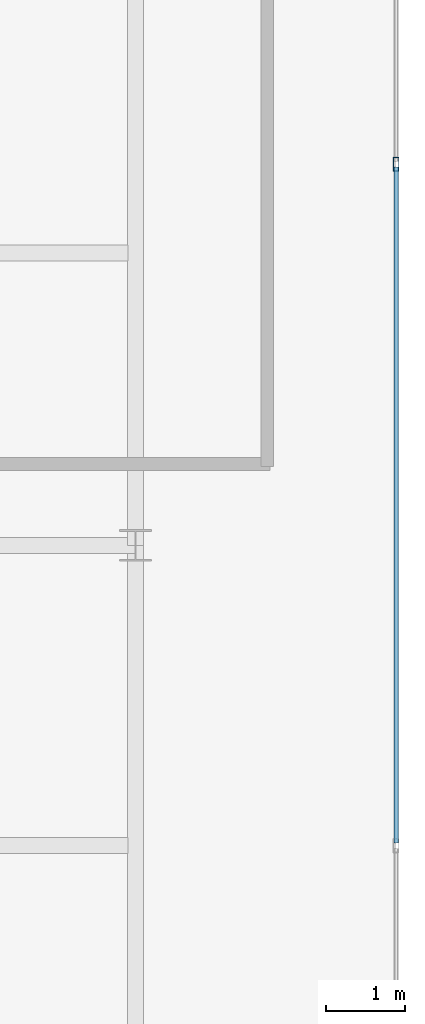
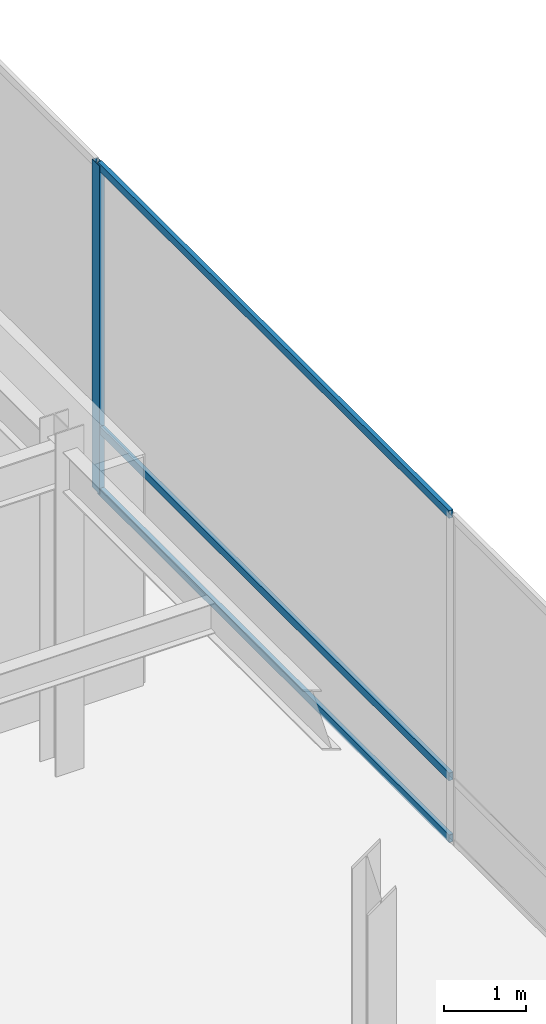
# One storey, part 27 of 40: 4 members, 1 element without a shape of its own.
"""IFC4 building model written with IfcOpenShell, lengths in metres."""

from ifc_helpers import new_model, si_unit, direction, frame, origin, origin_2d, place, context, subcontext, project, spatial, hollow_rectangle, extrude, material, layer, layer_set, material_profile, profile_set, type_object, element, aggregate, save


model = new_model("IFC4")

# Units and contexts
model_context = context("Model", 3, precision=1e-05, world=origin(), true_north=direction((0.0, 1.0)))
body_context = subcontext(model_context, "Body", "Model", "MODEL_VIEW")
ifc_project = project(units=[si_unit("LENGTHUNIT", "METRE"), si_unit("AREAUNIT", "SQUARE_METRE"), si_unit("VOLUMEUNIT", "CUBIC_METRE"), si_unit("PLANEANGLEUNIT", "RADIAN"), si_unit("MASSUNIT", "GRAM", prefix="KILO")], contexts=[model_context])

# Site, building, storey
site_placement = place(None, origin())
site = spatial("IfcSite", under=ifc_project, at=site_placement, CompositionType="ELEMENT")
building_placement = place(site_placement, origin())
building = spatial("IfcBuilding", under=site, at=building_placement, Name="Qianvela Tower", CompositionType="ELEMENT")
storey_placement = place(building_placement, frame((0.0, 0.0, 20.60009765625)))
storey = spatial("IfcBuildingStorey", under=building, at=storey_placement, Name="L04", CompositionType="ELEMENT", Elevation=20.60009765625)

# Curtain wall, members
ifc_material_1 = material(Name="Anodised Architectural Aluminium and Low-E Glass", Category="aluminium")
ifc_layer = layer(ifc_material_1, 0.179931640625)
ifc_layer_set = layer_set([ifc_layer], Name="Anodised Architectural Aluminium and Low-E Glass")
curtain_wall_type = type_object("IfcCurtainWallType", Name="CW-COMMONS", PredefinedType="USERDEFINED", material=ifc_layer_set)
curtain_wall_placement = place(storey_placement, origin())
curtain_wall = element("IfcCurtainWall", 1, at=curtain_wall_placement, inside=storey, type_object=curtain_wall_type, Name="L04 CW-COMMONS Curtain Wall 03", ObjectType="CURTAIN_WALL_SYSTEM", PredefinedType="USERDEFINED")
ifc_material_2 = material(Name="Anodised Architectural Aluminium 6063-T6", Category="aluminium")
ifc_material_profile_1 = material_profile(ifc_material_2, hollow_rectangle(XDim=0.070068359375, YDim=0.179931640625, WallThickness=0.0048828125, at=origin_2d()), Name="ALU-MULL-70x180")
ifc_profile_set_1 = profile_set([ifc_material_profile_1], Name="Anodised Architectural Aluminium 6063-T6")
member_type_1 = type_object("IfcMemberType", Name="CW-COMMONS-MULL", PredefinedType="MULLION", material=ifc_profile_set_1)
member_1_placement = place(storey_placement, frame((70.800048828125, 34.625, 0.0), z_axis=(0.0, 0.0, 1.0), x_axis=(-1.0, 0.0, 0.0)))
member_1 = element("IfcMember", 2, at=member_1_placement, type_object=member_type_1, Name="CW-2 mullion 4", PredefinedType="MULLION", context=body_context, shape_type="SweptSolid", body=[
    extrude(hollow_rectangle(XDim=0.070068359375, YDim=0.179931640625, WallThickness=0.0048828125, at=origin_2d()), origin(), (0.0, 0.0, 1.0), 4.8798828125),
])
ifc_material_3 = material(Name="Anodised Architectural Aluminium 6063-T6", Category="aluminium")
ifc_material_profile_2 = material_profile(ifc_material_3, hollow_rectangle(XDim=0.06005859375, YDim=0.114990234375, WallThickness=0.00390625, at=origin_2d()), Name="ALU-TRAN-60x115")
ifc_profile_set_2 = profile_set([ifc_material_profile_2], Name="Anodised Architectural Aluminium 6063-T6")
member_type_2 = type_object("IfcMemberType", Name="CW-COMMONS-TRAN", PredefinedType="USERDEFINED", material=ifc_profile_set_2)
member_2_placement = place(storey_placement, frame((70.800048828125, 26.034912109375, 0.02978515625), z_axis=(0.0, 1.0, 0.0), x_axis=(-1.0, 0.0, 0.0)))
member_2 = element("IfcMember", 3, at=member_2_placement, type_object=member_type_2, Name="CW-2 transom 3.1", ObjectType="TRANSOM", PredefinedType="USERDEFINED", context=body_context, shape_type="SweptSolid", body=[
    extrude(hollow_rectangle(XDim=0.06005859375, YDim=0.114990234375, WallThickness=0.00390625, at=origin_2d()), origin(), (0.0, 0.0, 1.0), 8.55517578125),
])
member_3_placement = place(storey_placement, frame((70.800048828125, 26.034912109375, 0.949951171875), z_axis=(0.0, 1.0, 0.0), x_axis=(-1.0, 0.0, 0.0)))
member_3 = element("IfcMember", 4, at=member_3_placement, type_object=member_type_2, Name="CW-2 transom 3.2", ObjectType="TRANSOM", PredefinedType="USERDEFINED", context=body_context, shape_type="SweptSolid", body=[
    extrude(hollow_rectangle(XDim=0.06005859375, YDim=0.114990234375, WallThickness=0.00390625, at=origin_2d()), origin(), (0.0, 0.0, 1.0), 8.55517578125),
])
member_4_placement = place(storey_placement, frame((70.800048828125, 26.034912109375, 4.849853515625), z_axis=(0.0, 1.0, 0.0), x_axis=(-1.0, 0.0, 0.0)))
member_4 = element("IfcMember", 5, at=member_4_placement, type_object=member_type_2, Name="CW-2 transom 3.3", ObjectType="TRANSOM", PredefinedType="USERDEFINED", context=body_context, shape_type="SweptSolid", body=[
    extrude(hollow_rectangle(XDim=0.06005859375, YDim=0.114990234375, WallThickness=0.00390625, at=origin_2d()), origin(), (0.0, 0.0, 1.0), 8.55517578125),
])
aggregate(curtain_wall, [member_1, member_2, member_3, member_4])

save(model, "model.ifc")
